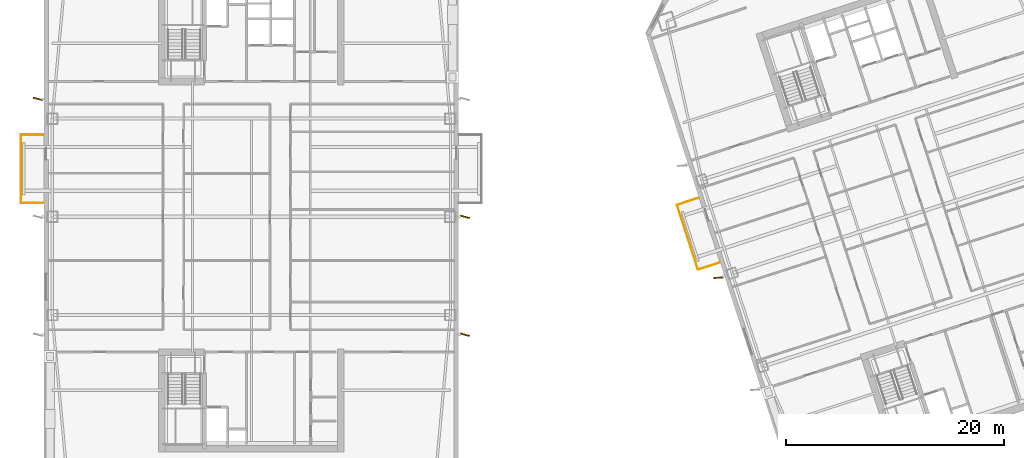
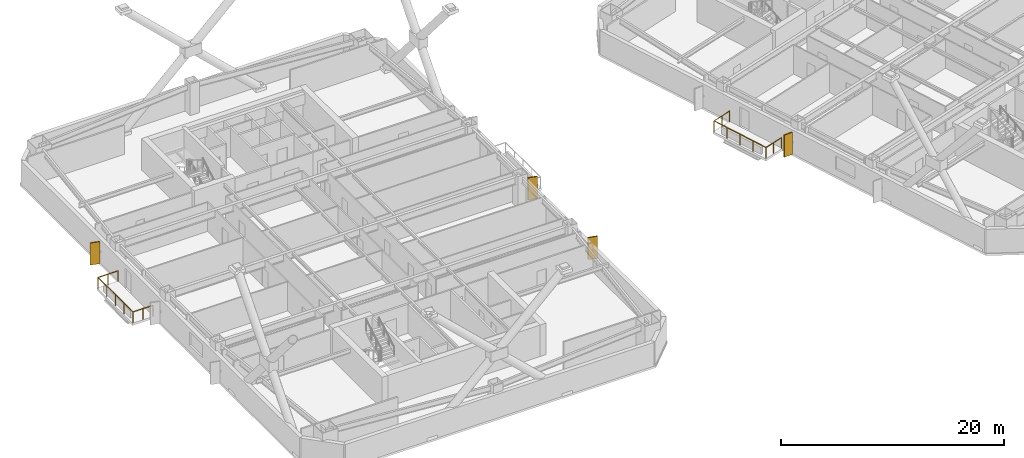
# One storey, part 21 of 24: 4 shading devices, 2 railings.
"""IFC4 building model written with IfcOpenShell, lengths in metres."""

from ifc_helpers import new_model, si_unit, direction, frame, origin, origin_2d, place, context, subcontext, project, spatial, rectangle, circle, extrude, material, layer, layer_set, type_object, element, save


model = new_model("IFC4")

# Units and contexts
model_context = context("Model", 3, precision=1e-05, world=origin(), true_north=direction((0.0, 1.0)))
body_context = subcontext(model_context, "Body", "Model", "MODEL_VIEW")
ifc_project = project(units=[si_unit("LENGTHUNIT", "METRE"), si_unit("AREAUNIT", "SQUARE_METRE"), si_unit("VOLUMEUNIT", "CUBIC_METRE"), si_unit("PLANEANGLEUNIT", "RADIAN"), si_unit("MASSUNIT", "GRAM", prefix="KILO")], contexts=[model_context])

# Site, building, storey
site_placement = place(None, origin())
site = spatial("IfcSite", under=ifc_project, at=site_placement, CompositionType="ELEMENT")
building_placement = place(site_placement, origin())
building = spatial("IfcBuilding", under=site, at=building_placement, Name="Qiaolan Cultural Towers", CompositionType="ELEMENT")
storey_placement = place(building_placement, frame((0.0, 0.0, 120.75)))
storey = spatial("IfcBuildingStorey", under=building, at=storey_placement, Name="L31", CompositionType="ELEMENT", Elevation=120.75)

# Railings
ifc_material_1 = material(Name="Laminated SentryGlas & Stainless Steel S31608 Balustrade", Category="steel")
railing_type = type_object("IfcRailingType", Name="GRD-TERR-1200", PredefinedType="BALUSTRADE", material=ifc_material_1)
railing_1_placement = place(storey_placement, frame((10.949951171875, 35.280029296875, 0.0)))
element("IfcRailing", 1, at=railing_1_placement, inside=storey, type_object=railing_type, Name="L31 T1 Tree Balcony Guardrail W", PredefinedType="BALUSTRADE", context=body_context, shape_type="SweptSolid", body=[
    extrude(circle(Radius=0.02392578125, at=origin_2d()), frame((0.0, 0.0, 1.17578125), z_axis=(-1.0, 0.0, 0.0), x_axis=(0.0, -1.0, 0.0)), (0.0, 0.0, 1.0), 2.070068359375),
    extrude(circle(Radius=0.02392578125, at=origin_2d()), frame((-2.070068359375, 0.0, 1.17578125), z_axis=(0.0, 1.0, 0.0), x_axis=(-1.0, 0.0, 0.0)), (0.0, 0.0, 1.0), 6.239990234375),
    extrude(circle(Radius=0.02392578125, at=origin_2d()), frame((-2.070068359375, 6.239990234375, 1.17578125), z_axis=(1.0, 0.0, 0.0), x_axis=(0.0, 1.0, 0.0)), (0.0, 0.0, 1.0), 2.070068359375),
    extrude(circle(Radius=0.02099609375, at=origin_2d()), origin(), (0.0, 0.0, 1.0), 1.15185546875),
    extrude(circle(Radius=0.02099609375, at=origin_2d()), frame((-1.03515625, 0.0, 0.0)), (0.0, 0.0, 1.0), 1.15185546875),
    extrude(circle(Radius=0.02099609375, at=origin_2d()), frame((-2.070068359375, 0.0, 0.0)), (0.0, 0.0, 1.0), 1.15185546875),
    extrude(circle(Radius=0.02099609375, at=origin_2d()), frame((-2.070068359375, 1.56005859375, 0.0)), (0.0, 0.0, 1.0), 1.15185546875),
    extrude(circle(Radius=0.02099609375, at=origin_2d()), frame((-2.070068359375, 3.1201171875, 0.0)), (0.0, 0.0, 1.0), 1.15185546875),
    extrude(circle(Radius=0.02099609375, at=origin_2d()), frame((-2.070068359375, 4.679931640625, 0.0)), (0.0, 0.0, 1.0), 1.15185546875),
    extrude(circle(Radius=0.02099609375, at=origin_2d()), frame((-2.070068359375, 6.239990234375, 0.0)), (0.0, 0.0, 1.0), 1.15185546875),
    extrude(circle(Radius=0.02099609375, at=origin_2d()), frame((-1.03515625, 6.239990234375, 0.0)), (0.0, 0.0, 1.0), 1.15185546875),
    extrude(circle(Radius=0.02099609375, at=origin_2d()), frame((0.0, 6.239990234375, 0.0)), (0.0, 0.0, 1.0), 1.15185546875),
])
railing_2_placement = place(storey_placement, frame((72.913330078125, 29.794189453125, 0.0)))
element("IfcRailing", 2, at=railing_2_placement, inside=storey, type_object=railing_type, Name="L31 T2 Tree Balcony Guardrail W", PredefinedType="BALUSTRADE", context=body_context, shape_type="SweptSolid", body=[
    extrude(circle(Radius=0.02392578125, at=origin_2d()), frame((0.0, 0.0, 1.17578125), z_axis=(-0.951050536716, -0.309035397023, 0.0), x_axis=(0.309035397023, -0.951050536716, 0.0)), (0.0, 0.0, 1.0), 2.06982421875),
    extrude(circle(Radius=0.02392578125, at=origin_2d()), frame((-1.968505859375, -0.6396484375, 1.17578125), z_axis=(-0.309047146287, 0.951046718817, 0.0), x_axis=(-0.951046718817, -0.309047146287, 0.0)), (0.0, 0.0, 1.0), 6.239990234375),
    extrude(circle(Radius=0.02392578125, at=origin_2d()), frame((-3.89697265625, 5.294921875, 1.17578125), z_axis=(0.951061799618, 0.309000733507, 0.0), x_axis=(-0.309000733507, 0.951061799618, 0.0)), (0.0, 0.0, 1.0), 2.070068359375),
    extrude(circle(Radius=0.02099609375, at=origin_2d()), origin(), (0.0, 0.0, 1.0), 1.15185546875),
    extrude(circle(Radius=0.02099609375, at=origin_2d()), frame((-0.984375, -0.31982421875, 0.0)), (0.0, 0.0, 1.0), 1.15185546875),
    extrude(circle(Radius=0.02099609375, at=origin_2d()), frame((-1.968505859375, -0.6396484375, 0.0)), (0.0, 0.0, 1.0), 1.15185546875),
    extrude(circle(Radius=0.02099609375, at=origin_2d()), frame((-2.45068359375, 0.843994140625, 0.0)), (0.0, 0.0, 1.0), 1.15185546875),
    extrude(circle(Radius=0.02099609375, at=origin_2d()), frame((-2.9326171875, 2.32763671875, 0.0)), (0.0, 0.0, 1.0), 1.15185546875),
    extrude(circle(Radius=0.02099609375, at=origin_2d()), frame((-3.414794921875, 3.811279296875, 0.0)), (0.0, 0.0, 1.0), 1.15185546875),
    extrude(circle(Radius=0.02099609375, at=origin_2d()), frame((-3.89697265625, 5.294921875, 0.0)), (0.0, 0.0, 1.0), 1.15185546875),
    extrude(circle(Radius=0.02099609375, at=origin_2d()), frame((-2.91259765625, 5.61474609375, 0.0)), (0.0, 0.0, 1.0), 1.15185546875),
    extrude(circle(Radius=0.02099609375, at=origin_2d()), frame((-1.92822265625, 5.9345703125, 0.0)), (0.0, 0.0, 1.0), 1.15185546875),
])

# Shading devices
ifc_material_2 = material(Name="Pierced Warm Terracotta Acoustic Fin", Category="masonry")
ifc_layer = layer(ifc_material_2, 0.1201171875)
ifc_layer_set = layer_set([ifc_layer], Name="Pierced Warm Terracotta Acoustic Fin")
shading_device_type = type_object("IfcShadingDeviceType", Name="SHD-FIN-PIERCED", PredefinedType="USERDEFINED", material=ifc_layer_set)
for number, where, z_axis, x_axis, name in (
    (3, (10.43994140625, 44.800048828125, 0.10009765625), (0.0, 0.0, 1.0), (0.966947591282, -0.254975206077, 0.0), "L31 T1 Expressive Precast Vertical Fin W3"),
    (4, (49.56005859375, 23.199951171875, 0.10009765625), (0.0, 0.0, 1.0), (0.966947591282, -0.254975206077, 0.0), "L31 T1 Expressive Precast Vertical Fin E1"),
    (5, (49.56005859375, 34.0, 0.10009765625), (0.0, 0.0, 1.0), (0.966947591282, -0.254975206077, 0.0), "L31 T1 Expressive Precast Vertical Fin E2"),
    (6, (72.823974609375, 28.419189453125, 0.10009765625), (0.0, 0.0, 1.0), (0.998413479427, 0.056307407143, 0.0), "L31 T2 Expressive Precast Vertical Fin W2"),
):
    element("IfcShadingDevice", number, at=place(storey_placement, frame(where, z_axis=z_axis, x_axis=x_axis)), inside=storey, type_object=shading_device_type, Name=name, ObjectType="FIN", PredefinedType="USERDEFINED", context=body_context, shape_type="SweptSolid", body=[
        extrude(rectangle(XDim=0.89990234375, YDim=0.1201171875, at=origin_2d()), origin(), (0.0, 0.0, 1.0), 2.409912109375),
    ])

save(model, "model.ifc")
